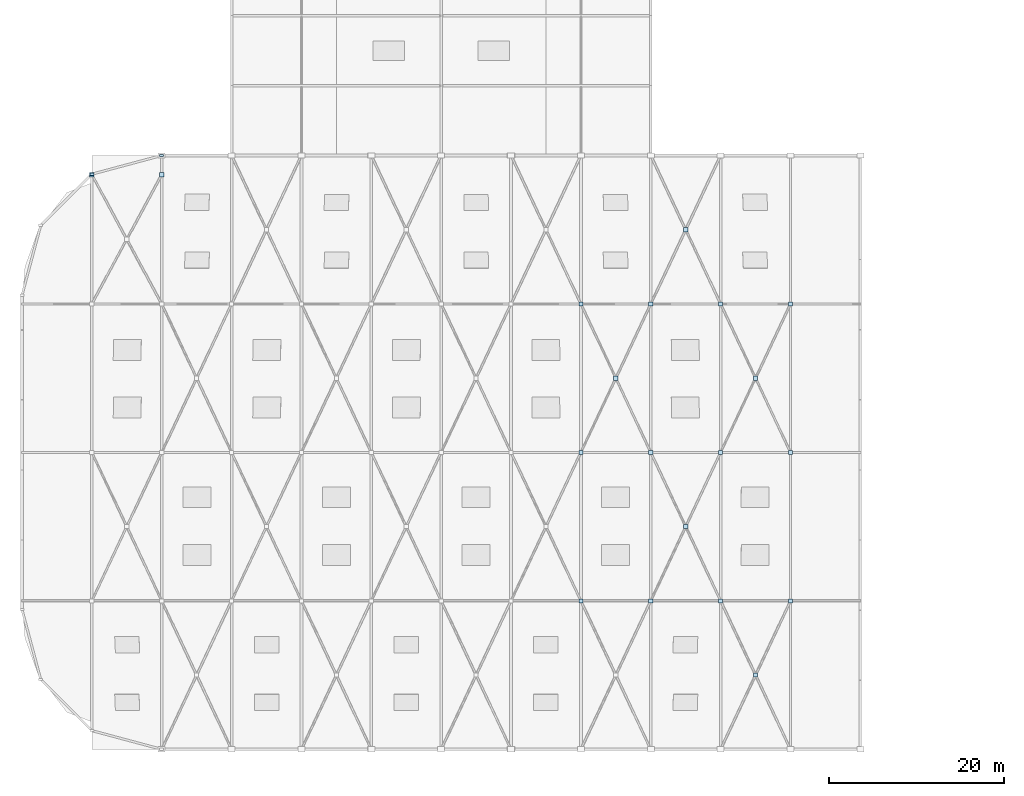
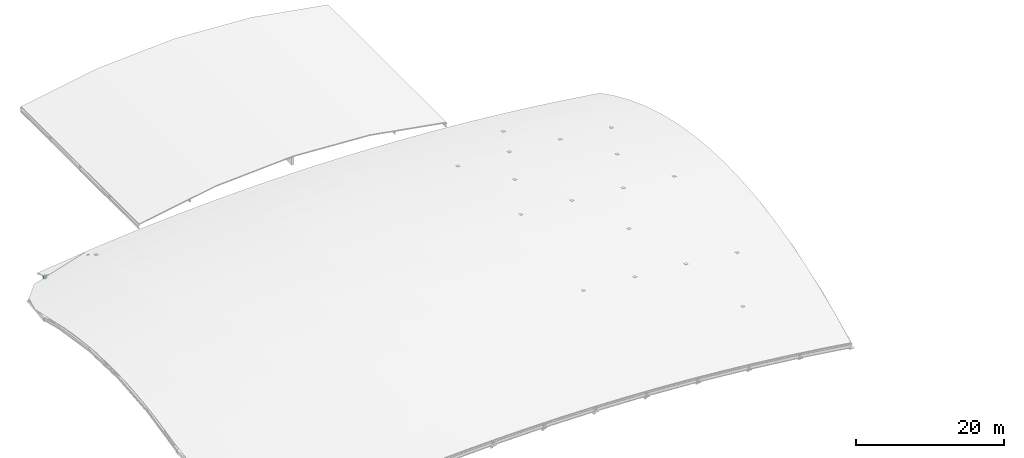
# One storey, part 9 of 11: 21 plates.
"""IFC4 building model written with IfcOpenShell, lengths in metres."""

import ifcopenshell
import ifcopenshell.guid

model = None  # the IFC model being written
_history = None  # IfcOwnerHistory: only IFC2X3 demands one
_inside = {}  # id of a spatial element -> (the spatial element, [elements in it])
_under = {}  # id of a project, library or spatial element -> (it, [spatial elements below it])
_declared = {}  # id of a project -> (the project, [libraries it declares])
_typed = {}  # id of a type object -> (the type object, [elements of that type])
_made_of = {}  # id of a material, layer set ... -> (it, [elements and type objects made of it])


def new_model(schema):
    """Start an empty IFC model of exactly this schema.

    Asked for "IFC4X3", IfcOpenShell would pick the latest addendum, in which some entities
    have other attributes; the version numbers below select the first issue.
    IFC2X3 requires an IfcOwnerHistory on every rooted entity: one is made here for all.
    """
    global model, _history
    if schema == "IFC4X3":
        model = ifcopenshell.file(schema_version=(4, 3, 0, 0))
    else:
        model = ifcopenshell.file(schema=schema)
    _inside.clear()
    _under.clear()
    _declared.clear()
    _typed.clear()
    _made_of.clear()
    _history = None
    if model.schema == "IFC2X3":
        org = make("IfcOrganization", Name="unknown")
        user = make(
            "IfcPersonAndOrganization",
            ThePerson=make("IfcPerson", FamilyName="unknown"),
            TheOrganization=org,
        )
        app = make(
            "IfcApplication",
            ApplicationDeveloper=org,
            Version="unknown",
            ApplicationFullName="unknown",
            ApplicationIdentifier="unknown",
        )
        _history = make(
            "IfcOwnerHistory",
            OwningUser=user,
            OwningApplication=app,
            ChangeAction="ADDED",
            CreationDate=0,
        )
    return model


def make(cls, **values):
    """One entity of the class cls with the attributes given. An attribute that is None is left unset."""
    return model.create_entity(
        cls, **{name: value for name, value in values.items() if value is not None}
    )


def rooted(cls, **values):
    """An entity with a GlobalId (a new one), such as an element, a storey or a relation."""
    return make(cls, GlobalId=ifcopenshell.guid.new(), OwnerHistory=_history, **values)


def si_unit(unit_type, name, prefix=None):
    """IfcSIUnit, for example si_unit("LENGTHUNIT", "METRE", prefix="MILLI")."""
    return make("IfcSIUnit", UnitType=unit_type, Prefix=prefix, Name=name)


def assignment(units):
    """IfcUnitAssignment: the units of a project."""
    return None if units is None else make("IfcUnitAssignment", Units=units)


def point(xyz):
    """IfcCartesianPoint."""
    return None if xyz is None else make("IfcCartesianPoint", Coordinates=xyz)


def direction(xyz):
    """IfcDirection."""
    return None if xyz is None else make("IfcDirection", DirectionRatios=xyz)


def frame(location, z_axis=None, x_axis=None):
    """IfcAxis2Placement3D, a coordinate frame: its origin and axes. An axis left out is left unset."""
    return make(
        "IfcAxis2Placement3D",
        Location=point(location),
        Axis=direction(z_axis),
        RefDirection=direction(x_axis),
    )


def frame_2d(location, x_axis=None):
    """IfcAxis2Placement2D, a coordinate frame in the plane: its origin and x axis."""
    return make(
        "IfcAxis2Placement2D", Location=point(location), RefDirection=direction(x_axis)
    )


def origin():
    """The frame at (0, 0, 0) with its axes left unset."""
    return frame((0.0, 0.0, 0.0))


def origin_2d():
    """The frame at (0, 0) in the plane with its x axis left unset."""
    return frame_2d((0.0, 0.0))


def place(relative_to, where):
    """IfcLocalPlacement: puts the frame where relative to a parent placement (None: the world)."""
    return make(
        "IfcLocalPlacement", PlacementRelTo=relative_to, RelativePlacement=where
    )


def context(
    kind, dimensions, precision=None, world=None, true_north=None, identifier=None
):
    """IfcGeometricRepresentationContext, for example the 3D "Model" context."""
    return make(
        "IfcGeometricRepresentationContext",
        ContextIdentifier=identifier,
        ContextType=kind,
        CoordinateSpaceDimension=dimensions,
        Precision=precision,
        WorldCoordinateSystem=world,
        TrueNorth=true_north,
    )


def subcontext(parent, identifier, kind, view, scale=None):
    """IfcGeometricRepresentationSubContext, for example "Body" below "Model"."""
    return make(
        "IfcGeometricRepresentationSubContext",
        ContextIdentifier=identifier,
        ContextType=kind,
        ParentContext=parent,
        TargetScale=scale,
        TargetView=view,
    )


def project(units=None, contexts=None):
    """IfcProject with its units and contexts."""
    return rooted(
        "IfcProject",
        Name="project",
        RepresentationContexts=contexts,
        UnitsInContext=assignment(units),
    )


def spatial(cls, under=None, at=None, **own):
    """A site, building, storey or space (cls), placed at a placement, below another one or the project."""
    s = rooted(cls, ObjectPlacement=at, **own)
    if under is not None:
        _under.setdefault(under.id(), (under, []))[1].append(s)
    return s


def profile(cls, at=None, kind="AREA", **sizes):
    """A parametric profile (cls). Its sizes go by their IFC names, for example OverallWidth=200.0."""
    return make(cls, ProfileType=kind, Position=at, **sizes)


def rectangle(**sizes):
    """IfcRectangleProfileDef."""
    return profile("IfcRectangleProfileDef", **sizes)


def extrude(swept, where, along, depth):
    """IfcExtrudedAreaSolid: the profile swept, set in the frame where, extruded along a direction by depth."""
    return make(
        "IfcExtrudedAreaSolid",
        SweptArea=swept,
        Position=where,
        ExtrudedDirection=direction(along),
        Depth=depth,
    )


def shape(context_of_items, identifier, shape_type, items):
    """IfcShapeRepresentation: the items that make up one representation, for example the "Body"."""
    return make(
        "IfcShapeRepresentation",
        ContextOfItems=context_of_items,
        RepresentationIdentifier=identifier,
        RepresentationType=shape_type,
        Items=items,
    )


def material(Name=None, Category=None):
    """IfcMaterial."""
    return make("IfcMaterial", Name=Name, Category=Category)


def layer(
    of_material, thickness, ventilated=None, Name=None, Category=None, Priority=None
):
    """IfcMaterialLayer: one layer of a wall or slab, of a material (None: an air gap)."""
    return make(
        "IfcMaterialLayer",
        Material=of_material,
        LayerThickness=thickness,
        IsVentilated=ventilated,
        Name=Name,
        Category=Category,
        Priority=Priority,
    )


def layer_set(layers, Name=None):
    """IfcMaterialLayerSet."""
    return make("IfcMaterialLayerSet", MaterialLayers=layers, LayerSetName=Name)


def made_of(thing, what):
    """Note that an element or type object is made of a material, layer set ...; save() writes the relation."""
    if what is not None:
        _made_of.setdefault(what.id(), (what, []))[1].append(thing)
    return thing


def type_object(cls, material=None, **own):
    """A type object (cls), such as IfcWallType, which elements share."""
    return made_of(rooted(cls, **own), material)


def element(
    cls,
    number,
    at=None,
    inside=None,
    cuts=None,
    type_object=None,
    material=None,
    context=None,
    identifier="Body",
    shape_type=None,
    held_by="IfcProductDefinitionShape",
    body=None,
    shapes=None,
    **own,
):
    """One element of the class cls, such as IfcWall. Its Tag is "e" and its number.

    at: its placement. inside: the storey or other place that contains it. cuts: it is an
    opening in that element (IfcRelVoidsElement). A single representation is given by context,
    identifier, shape_type and body (its items); several are given by shapes. held_by: the class
    of the entity that holds the representations. save() writes the other relations.
    """
    e = rooted(cls, Tag="e%d" % number, ObjectPlacement=at, **own)
    if body is not None:
        shapes = [shape(context, identifier, shape_type, body)]
    if shapes is not None:
        e.Representation = make(held_by, Representations=shapes)
    if inside is not None:
        _inside.setdefault(inside.id(), (inside, []))[1].append(e)
    if cuts is not None:
        rooted(
            "IfcRelVoidsElement", RelatingBuildingElement=cuts, RelatedOpeningElement=e
        )
    if type_object is not None:
        _typed.setdefault(type_object.id(), (type_object, []))[1].append(e)
    return made_of(e, material)


def aggregate(whole, parts):
    """IfcRelAggregates: a whole, such as a stair, and the parts it consists of."""
    return rooted("IfcRelAggregates", RelatingObject=whole, RelatedObjects=parts)


def save(model, path):
    """Write the relations noted so far, then the file.

    IfcRelAggregates (storeys below a building ...), IfcRelContainedInSpatialStructure (elements
    in a storey), IfcRelDefinesByType, IfcRelAssociatesMaterial and IfcRelDeclares: one each for
    every whole, place, type object, material and project.
    """
    for whole, parts in _under.values():
        aggregate(whole, parts)
    for where, things in _inside.values():
        rooted(
            "IfcRelContainedInSpatialStructure",
            RelatedElements=things,
            RelatingStructure=where,
        )
    for kind, things in _typed.values():
        rooted("IfcRelDefinesByType", RelatedObjects=things, RelatingType=kind)
    for what, things in _made_of.values():
        rooted("IfcRelAssociatesMaterial", RelatedObjects=things, RelatingMaterial=what)
    for by, libraries in _declared.values():
        rooted("IfcRelDeclares", RelatingContext=by, RelatedDefinitions=libraries)
    model.write(path)


model = new_model("IFC4")

# Units and contexts
model_context = context("Model", 3, precision=1e-05, world=origin(), true_north=direction((0.0, 1.0)))
body_context = subcontext(model_context, "Body", "Model", "MODEL_VIEW")
ifc_project = project(units=[si_unit("LENGTHUNIT", "METRE"), si_unit("AREAUNIT", "SQUARE_METRE"), si_unit("VOLUMEUNIT", "CUBIC_METRE"), si_unit("PLANEANGLEUNIT", "RADIAN"), si_unit("MASSUNIT", "GRAM", prefix="KILO")], contexts=[model_context])

# Site, building, storey
site_placement = place(None, origin())
site = spatial("IfcSite", under=ifc_project, at=site_placement, CompositionType="ELEMENT")
building_placement = place(site_placement, origin())
building = spatial("IfcBuilding", under=site, at=building_placement, Name="Drelvana Railside Aquatics Centre", CompositionType="ELEMENT")
storey_placement = place(building_placement, frame((0.0, 0.0, 22.800048828125)))
storey = spatial("IfcBuildingStorey", under=building, at=storey_placement, Name="Roof", CompositionType="ELEMENT", Elevation=22.800048828125)

# Plates
ifc_material = material(Name="Structural steel S355", Category="steel")
ifc_layer_1 = layer(ifc_material, 0.02197265625, Name="Structural steel S355")
ifc_layer_set_1 = layer_set([ifc_layer_1], Name="Structural steel S355")
plate_type_1 = type_object("IfcPlateType", Name="STR-PLT-PL-04", PredefinedType="SHEET", material=ifc_layer_set_1)
for number, where, z_axis, x_axis, name in (
    (1, (16.0, 81.800048828125, -5.10302734375), (0.0, 0.0, 1.0), (1.0, 0.0, 0.0), "Gridshell brace end gusset plate PL-04 (2.4.2)"),
    (2, (8.0, 81.800048828125, -6.0029296875), (0.0, 0.0, 1.0), (1.0, 0.0, 0.0), "Gridshell brace end gusset plate PL-04 (2.4.3)"),
    (3, (64.0, 50.0, 4.010009765625), (0.0, 0.0, 1.0), (1.0, 0.0, 0.0), "Gridshell brace end gusset plate PL-04 (8.2.2)"),
    (4, (64.0, 33.0, 1.760009765625), (0.0, 0.0, 1.0), (1.0, 0.0, 0.0), "Gridshell brace end gusset plate PL-04 (8.2.4)"),
    (5, (64.0, 67.0, 1.719970703125), (0.0, 0.0, 1.0), (1.0, 0.0, 0.0), "Gridshell brace end gusset plate PL-04 (8.4.4)"),
    (6, (72.0, 33.0, 1.219970703125), (0.0, 0.0, 1.0), (1.0, 0.0, 0.0), "Gridshell brace end gusset plate PL-04 (9.1.2)"),
    (7, (68.0, 58.5, 3.222412109375), (0.0, 0.0, 1.0), (1.0, 0.0, 0.0), "Gridshell X-brace crossing node plate PL-04 (9.3)"),
    (8, (72.0, 67.0, 1.260009765625), (0.0, 0.0, 1.0), (1.0, 0.0, 0.0), "Gridshell brace end gusset plate PL-04 (9.3.2)"),
    (9, (72.0, 50.0, 3.510009765625), (0.0, 0.0, 1.0), (1.0, 0.0, 0.0), "Gridshell brace end gusset plate PL-04 (9.3.4)"),
    (10, (76.0, 41.5, 2.62255859375), (0.0, 0.0, 1.0), (1.0, 0.0, 0.0), "Gridshell X-brace crossing node plate PL-04 (10.2)"),
    (11, (80.0, 50.0, 2.81005859375), (0.0, 0.0, 1.0), (1.0, 0.0, 0.0), "Gridshell brace end gusset plate PL-04 (10.2.2)"),
    (12, (80.0, 33.0, 0.56005859375), (0.0, 0.0, 1.0), (1.0, 0.0, 0.0), "Gridshell brace end gusset plate PL-04 (10.2.4)"),
    (13, (76.0, 75.5, -1.91748046875), (0.0, 0.0, 1.0), (1.0, 0.0, 0.0), "Gridshell X-brace crossing node plate PL-04 (10.4)"),
    (14, (80.0, 67.0, 0.52001953125), (0.0, 0.0, 1.0), (1.0, 0.0, 0.0), "Gridshell brace end gusset plate PL-04 (10.4.4)"),
    (15, (84.0, 24.5, -2.717529296875), (0.0, 0.0, 1.0), (1.0, 0.0, 0.0), "Gridshell X-brace crossing node plate PL-04 (11.1)"),
    (16, (88.0, 33.0, -0.380126953125), (0.0, 0.0, 1.0), (1.0, 0.0, 0.0), "Gridshell brace end gusset plate PL-04 (11.1.2)"),
    (17, (84.0, 58.5, 1.822509765625), (0.0, 0.0, 1.0), (1.0, 0.0, 0.0), "Gridshell X-brace crossing node plate PL-04 (11.3)"),
    (18, (88.0, 67.0, -0.340087890625), (0.0, 0.0, 1.0), (1.0, 0.0, 0.0), "Gridshell brace end gusset plate PL-04 (11.3.2)"),
    (19, (88.0, 50.0, 1.909912109375), (0.0, 0.0, 1.0), (1.0, 0.0, 0.0), "Gridshell brace end gusset plate PL-04 (11.3.4)"),
):
    element("IfcPlate", number, at=place(storey_placement, frame(where, z_axis=z_axis, x_axis=x_axis)), inside=storey, type_object=plate_type_1, Name=name, PredefinedType="SHEET", context=body_context, shape_type="SweptSolid", body=[
        extrude(rectangle(XDim=0.47998046875, YDim=0.47998046875, at=origin_2d()), origin(), (0.0, 0.0, 1.0), 0.02197265625),
    ])
ifc_layer_2 = layer(ifc_material, 0.0400390625, Name="Structural steel S355")
ifc_layer_set_2 = layer_set([ifc_layer_2], Name="Structural steel S355")
plate_type_2 = type_object("IfcPlateType", Name="STR-PLT-PL-05", PredefinedType="SHEET", material=ifc_layer_set_2)
for number, where, z_axis, x_axis, name in (
    (20, (16.0, 84.0, -6.482177734375), (0.0, 0.0, 1.0), (1.0, 0.0, 0.0), "Ring beam end plate PL-05 NW-0"),
    (21, (8.0, 81.8564453125, -6.282958984375), (0.0, 0.0, 1.0), (1.0, 0.0, 0.0), "Ring beam end plate PL-05 NW-1"),
):
    element("IfcPlate", number, at=place(storey_placement, frame(where, z_axis=z_axis, x_axis=x_axis)), inside=storey, type_object=plate_type_2, Name=name, PredefinedType="SHEET", context=body_context, shape_type="SweptSolid", body=[
        extrude(rectangle(XDim=0.449951171875, YDim=0.25, at=origin_2d()), origin(), (0.0, 0.0, 1.0), 0.0400390625),
    ])

save(model, "model.ifc")
